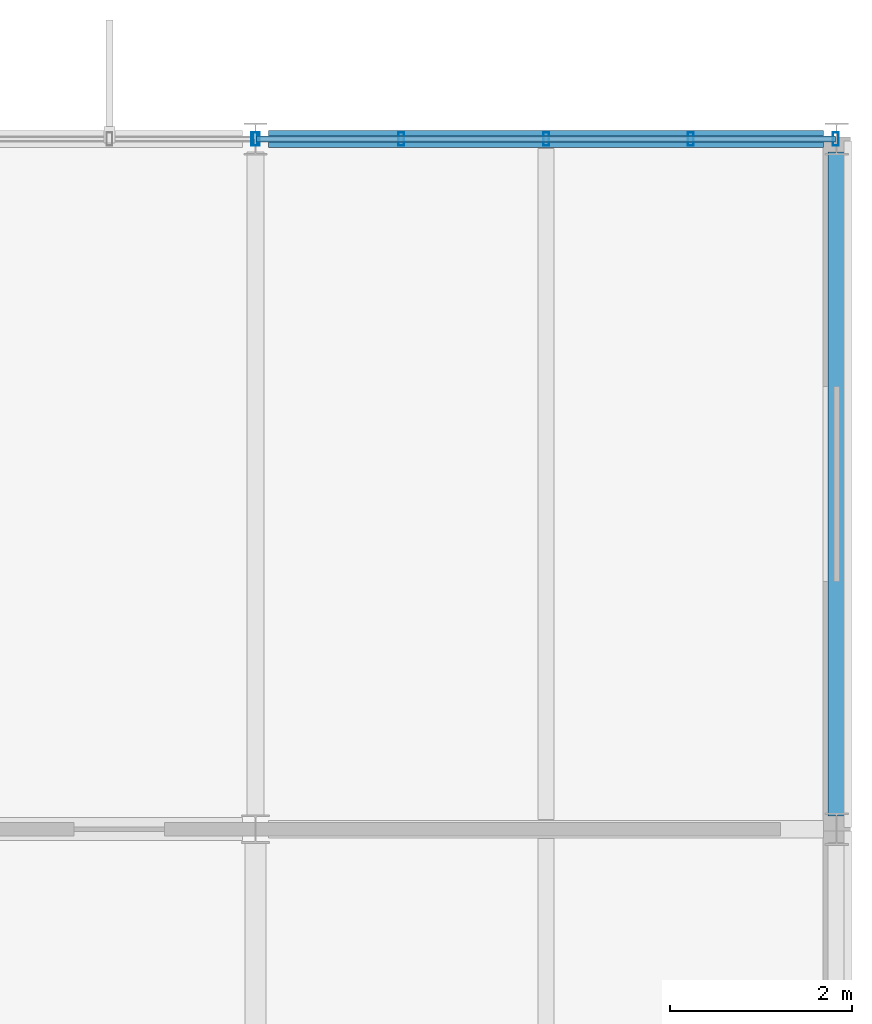
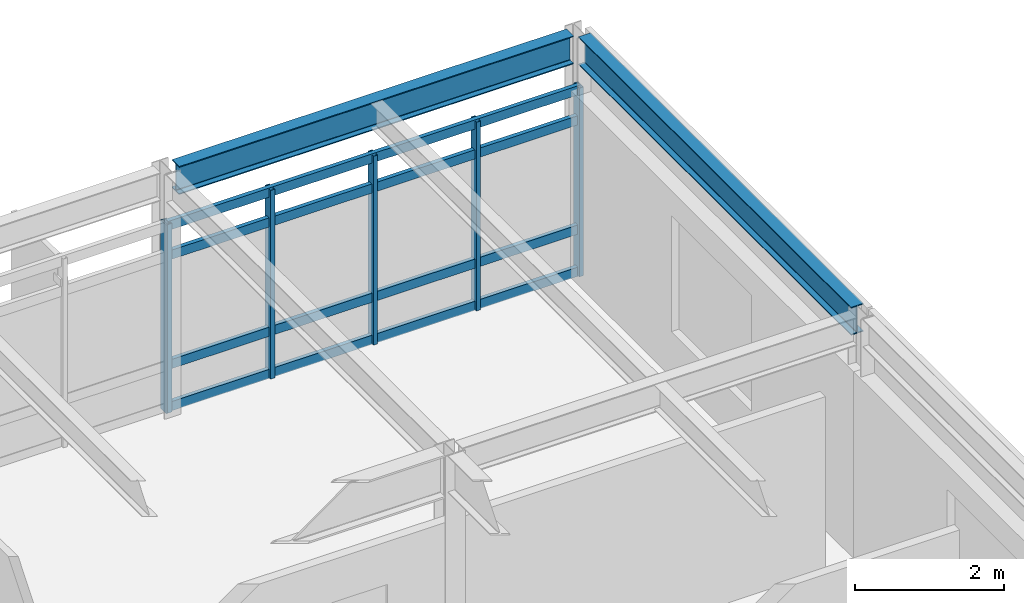
# One storey, part 12 of 17: 10 members, 2 beams, 2 elements without a shape of their own.
"""IFC4 building model written with IfcOpenShell, lengths in metres."""

from ifc_helpers import new_model, si_unit, direction, frame, origin, origin_2d, place, context, subcontext, project, spatial, hollow_rectangle, i_section, extrude, material, material_profile, profile_set, type_object, element, aggregate, save


model = new_model("IFC4")

# Units and contexts
model_context = context("Model", 3, precision=1e-05, world=origin(), true_north=direction((0.0, 1.0)))
body_context = subcontext(model_context, "Body", "Model", "MODEL_VIEW")
ifc_project = project(units=[si_unit("LENGTHUNIT", "METRE"), si_unit("AREAUNIT", "SQUARE_METRE"), si_unit("VOLUMEUNIT", "CUBIC_METRE"), si_unit("PLANEANGLEUNIT", "RADIAN"), si_unit("MASSUNIT", "GRAM", prefix="KILO")], contexts=[model_context])

# Site, building, storey
site_placement = place(None, origin())
site = spatial("IfcSite", under=ifc_project, at=site_placement, CompositionType="ELEMENT")
building_placement = place(site_placement, origin())
building = spatial("IfcBuilding", under=site, at=building_placement, Name="Zulena Civic Courthouse", CompositionType="ELEMENT")
storey_placement = place(building_placement, frame((0.0, 0.0, 42.0)))
storey = spatial("IfcBuildingStorey", under=building, at=storey_placement, Name="L09", CompositionType="ELEMENT", Elevation=42.0)

# Curtain wall, member
ifc_material_1 = material(Name="Double-silver low-E laminated solar-control glass", Category="glass")
curtain_wall_type_1 = type_object("IfcCurtainWallType", Name="CW_7976x3090", PredefinedType="USERDEFINED", material=ifc_material_1)
curtain_wall_1_placement = place(storey_placement, origin())
curtain_wall_1 = element("IfcCurtainWall", 1, at=curtain_wall_1_placement, inside=storey, type_object=curtain_wall_type_1, Name="cw:V2:L09:1:4", ObjectType="UNITISED CURTAIN WALL", PredefinedType="USERDEFINED")
ifc_material_2 = material(Name="Bronze anodised thermally broken aluminium AA6063-T6", Category="aluminium")
ifc_material_profile_1 = material_profile(ifc_material_2, hollow_rectangle(XDim=0.06494140625, YDim=0.14990234375, WallThickness=0.00390625, at=origin_2d()), Name="CWM150X65X4")
ifc_profile_set_1 = profile_set([ifc_material_profile_1], Name="Bronze anodised thermally broken aluminium AA6063-T6")
member_type_1 = type_object("IfcMemberType", Name="CWMullion_150x65", PredefinedType="MULLION", material=ifc_profile_set_1)
member_1_placement = place(storey_placement, frame((59.988037109375, 22.800048828125, 0.0), z_axis=(0.0, 0.0, 1.0), x_axis=(1.0, 0.0, 0.0)))
member_1 = element("IfcMember", 2, at=member_1_placement, type_object=member_type_1, Name="cw:V2:L09:1:4:mull:5", PredefinedType="MULLION", context=body_context, shape_type="SweptSolid", body=[
    extrude(hollow_rectangle(XDim=0.06494140625, YDim=0.14990234375, WallThickness=0.00390625, at=origin_2d()), origin(), (0.0, 0.0, 1.0), 3.090087890625),
])
aggregate(curtain_wall_1, [member_1])

# Curtain wall, members
curtain_wall_type_2 = type_object("IfcCurtainWallType", Name="CW_6376x3090", PredefinedType="USERDEFINED", material=ifc_material_1)
curtain_wall_2_placement = place(storey_placement, origin())
curtain_wall_2 = element("IfcCurtainWall", 3, at=curtain_wall_2_placement, inside=storey, type_object=curtain_wall_type_2, Name="cw:V2:L09:1:5", ObjectType="UNITISED CURTAIN WALL", PredefinedType="USERDEFINED")
member_2_placement = place(storey_placement, frame((60.011962890625, 22.800048828125, 0.0), z_axis=(0.0, 0.0, 1.0), x_axis=(1.0, 0.0, 0.0)))
member_2 = element("IfcMember", 4, at=member_2_placement, type_object=member_type_1, Name="cw:V2:L09:1:5:mull:0", PredefinedType="MULLION", context=body_context, shape_type="SweptSolid", body=[
    extrude(hollow_rectangle(XDim=0.06494140625, YDim=0.14990234375, WallThickness=0.00390625, at=origin_2d()), origin(), (0.0, 0.0, 1.0), 3.090087890625),
])
member_3_placement = place(storey_placement, frame((61.60595703125, 22.800048828125, 0.0), z_axis=(0.0, 0.0, 1.0), x_axis=(1.0, 0.0, 0.0)))
member_3 = element("IfcMember", 5, at=member_3_placement, type_object=member_type_1, Name="cw:V2:L09:1:5:mull:1", PredefinedType="MULLION", context=body_context, shape_type="SweptSolid", body=[
    extrude(hollow_rectangle(XDim=0.06494140625, YDim=0.14990234375, WallThickness=0.00390625, at=origin_2d()), origin(), (0.0, 0.0, 1.0), 3.090087890625),
])
member_4_placement = place(storey_placement, frame((63.199951171875, 22.800048828125, 0.0), z_axis=(0.0, 0.0, 1.0), x_axis=(1.0, 0.0, 0.0)))
member_4 = element("IfcMember", 6, at=member_4_placement, type_object=member_type_1, Name="cw:V2:L09:1:5:mull:2", PredefinedType="MULLION", context=body_context, shape_type="SweptSolid", body=[
    extrude(hollow_rectangle(XDim=0.06494140625, YDim=0.14990234375, WallThickness=0.00390625, at=origin_2d()), origin(), (0.0, 0.0, 1.0), 3.090087890625),
])
member_5_placement = place(storey_placement, frame((64.7939453125, 22.800048828125, 0.0), z_axis=(0.0, 0.0, 1.0), x_axis=(1.0, 0.0, 0.0)))
member_5 = element("IfcMember", 7, at=member_5_placement, type_object=member_type_1, Name="cw:V2:L09:1:5:mull:3", PredefinedType="MULLION", context=body_context, shape_type="SweptSolid", body=[
    extrude(hollow_rectangle(XDim=0.06494140625, YDim=0.14990234375, WallThickness=0.00390625, at=origin_2d()), origin(), (0.0, 0.0, 1.0), 3.090087890625),
])
member_6_placement = place(storey_placement, frame((66.387939453125, 22.800048828125, 0.0), z_axis=(0.0, 0.0, 1.0), x_axis=(1.0, 0.0, 0.0)))
member_6 = element("IfcMember", 8, at=member_6_placement, type_object=member_type_1, Name="cw:V2:L09:1:5:mull:4", PredefinedType="MULLION", context=body_context, shape_type="SweptSolid", body=[
    extrude(hollow_rectangle(XDim=0.06494140625, YDim=0.14990234375, WallThickness=0.00390625, at=origin_2d()), origin(), (0.0, 0.0, 1.0), 3.090087890625),
])
ifc_material_profile_2 = material_profile(ifc_material_2, hollow_rectangle(XDim=0.06494140625, YDim=0.14990234375, WallThickness=0.00390625, at=origin_2d()), Name="CWT150X65X4")
ifc_profile_set_2 = profile_set([ifc_material_profile_2], Name="Bronze anodised thermally broken aluminium AA6063-T6")
member_type_2 = type_object("IfcMemberType", Name="CWTransom_150x65", PredefinedType="USERDEFINED", material=ifc_profile_set_2)
member_7_placement = place(storey_placement, frame((60.011962890625, 22.800048828125, 0.06005859375), z_axis=(1.0, 0.0, 0.0), x_axis=(0.0, 1.0, 0.0)))
member_7 = element("IfcMember", 9, at=member_7_placement, type_object=member_type_2, Name="cw:V2:L09:1:5:tran:0", ObjectType="TRANSOM", PredefinedType="USERDEFINED", context=body_context, shape_type="SweptSolid", body=[
    extrude(hollow_rectangle(XDim=0.06494140625, YDim=0.14990234375, WallThickness=0.00390625, at=origin_2d()), origin(), (0.0, 0.0, 1.0), 6.3759765625),
])
member_8_placement = place(storey_placement, frame((60.011962890625, 22.800048828125, 0.75), z_axis=(1.0, 0.0, 0.0), x_axis=(0.0, 1.0, 0.0)))
member_8 = element("IfcMember", 10, at=member_8_placement, type_object=member_type_2, Name="cw:V2:L09:1:5:tran:1", ObjectType="TRANSOM", PredefinedType="USERDEFINED", context=body_context, shape_type="SweptSolid", body=[
    extrude(hollow_rectangle(XDim=0.06494140625, YDim=0.14990234375, WallThickness=0.00390625, at=origin_2d()), origin(), (0.0, 0.0, 1.0), 6.3759765625),
])
member_9_placement = place(storey_placement, frame((60.011962890625, 22.800048828125, 2.5400390625), z_axis=(1.0, 0.0, 0.0), x_axis=(0.0, 1.0, 0.0)))
member_9 = element("IfcMember", 11, at=member_9_placement, type_object=member_type_2, Name="cw:V2:L09:1:5:tran:2", ObjectType="TRANSOM", PredefinedType="USERDEFINED", context=body_context, shape_type="SweptSolid", body=[
    extrude(hollow_rectangle(XDim=0.06494140625, YDim=0.14990234375, WallThickness=0.00390625, at=origin_2d()), origin(), (0.0, 0.0, 1.0), 6.3759765625),
])
member_10_placement = place(storey_placement, frame((60.011962890625, 22.800048828125, 3.030029296875), z_axis=(1.0, 0.0, 0.0), x_axis=(0.0, 1.0, 0.0)))
member_10 = element("IfcMember", 12, at=member_10_placement, type_object=member_type_2, Name="cw:V2:L09:1:5:tran:3", ObjectType="TRANSOM", PredefinedType="USERDEFINED", context=body_context, shape_type="SweptSolid", body=[
    extrude(hollow_rectangle(XDim=0.06494140625, YDim=0.14990234375, WallThickness=0.00390625, at=origin_2d()), origin(), (0.0, 0.0, 1.0), 6.3759765625),
])
aggregate(curtain_wall_2, [member_2, member_3, member_4, member_5, member_6, member_7, member_8, member_9, member_10])

# Beams
ifc_material_3 = material(Name="Steel ASTM A992 Grade 50", Category="steel")
ifc_material_profile_3 = material_profile(ifc_material_3, i_section(OverallWidth=0.19091796875, OverallDepth=0.4599609375, WebThickness=0.010009765625, FlangeThickness=0.01611328125, FilletRadius=0.01025390625, at=origin_2d()), Name="W18X55")
ifc_profile_set_3 = profile_set([ifc_material_profile_3], Name="Steel ASTM A992 Grade 50")
beam_type = type_object("IfcBeamType", Name="Spandrel_W18X55", PredefinedType="SPANDREL", material=ifc_profile_set_3)
beam_1_placement = place(storey_placement, frame((60.14501953125, 22.800048828125, 3.764892578125), z_axis=(1.0, 0.0, 0.0), x_axis=(0.0, 1.0, 0.0)))
element("IfcBeam", 13, at=beam_1_placement, inside=storey, type_object=beam_type, Name="beam:X:V2:L09:22.8:60.0_66.4", PredefinedType="SPANDREL", context=body_context, shape_type="SweptSolid", body=[
    extrude(i_section(OverallWidth=0.19091796875, OverallDepth=0.4599609375, WebThickness=0.010009765625, FlangeThickness=0.01611328125, FilletRadius=0.01025390625, at=origin_2d()), origin(), (0.0, 0.0, 1.0), 6.10986328125),
])
beam_2_placement = place(storey_placement, frame((66.39990234375, 15.344970703125, 3.764892578125), z_axis=(0.0, 1.0, 0.0), x_axis=(-1.0, 0.0, 0.0)))
element("IfcBeam", 14, at=beam_2_placement, inside=storey, type_object=beam_type, Name="beam:Y:V2:L09:66.4:15.2_22.8", PredefinedType="SPANDREL", context=body_context, shape_type="SweptSolid", body=[
    extrude(i_section(OverallWidth=0.19091796875, OverallDepth=0.4599609375, WebThickness=0.010009765625, FlangeThickness=0.01611328125, FilletRadius=0.01025390625, at=origin_2d()), origin(), (0.0, 0.0, 1.0), 7.31005859375),
])

save(model, "model.ifc")
